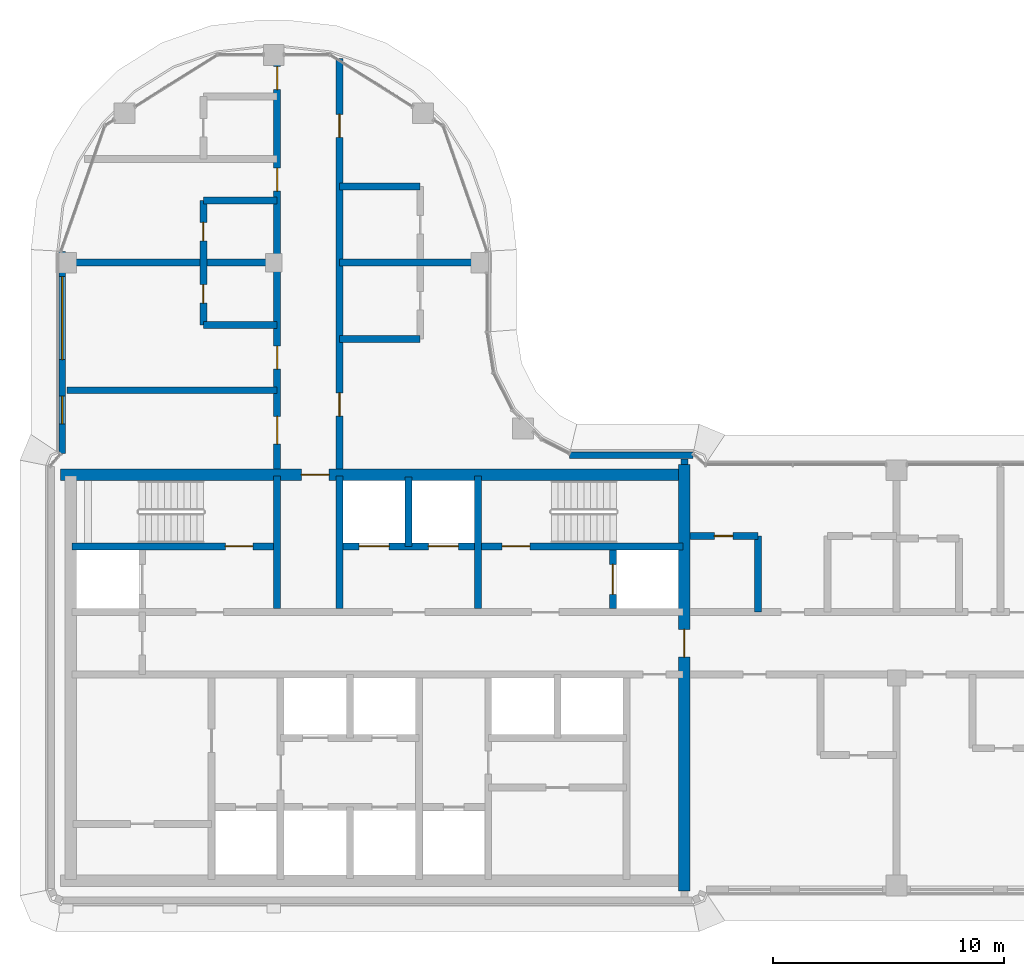
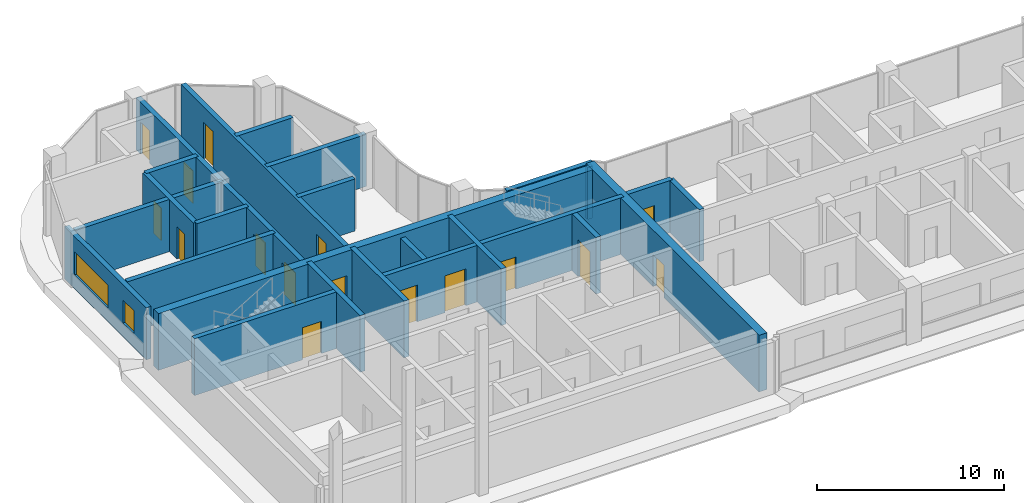
# One storey, part 11 of 20: 24 walls, 16 doors, 2 windows, 18 openings.
"""IFC4 building model written with IfcOpenShell, lengths in metres."""

from ifc_helpers import new_model, si_unit, direction, frame, frame_2d, origin, place, context, subcontext, project, spatial, rectangle, extrude, material, layer, layer_set, type_object, element, fill, save


model = new_model("IFC4")

# Units and contexts
model_context = context("Model", 3, precision=1e-05, world=origin(), true_north=direction((0.0, 1.0)))
body_context = subcontext(model_context, "Body", "Model", "MODEL_VIEW")
ifc_project = project(units=[si_unit("LENGTHUNIT", "METRE"), si_unit("AREAUNIT", "SQUARE_METRE"), si_unit("VOLUMEUNIT", "CUBIC_METRE"), si_unit("PLANEANGLEUNIT", "RADIAN"), si_unit("MASSUNIT", "GRAM", prefix="KILO")], contexts=[model_context])

# Site, building, storey
site_placement = place(None, origin())
site = spatial("IfcSite", under=ifc_project, at=site_placement, CompositionType="ELEMENT")
building_placement = place(site_placement, origin())
building = spatial("IfcBuilding", under=site, at=building_placement, Name="Ogive Portal Towers", CompositionType="ELEMENT")
storey_placement = place(building_placement, frame((0.0, 0.0, 214.300048828125)))
storey = spatial("IfcBuildingStorey", under=building, at=storey_placement, Name="L53", CompositionType="ELEMENT", Elevation=214.300048828125)

# Wall, opening, door
ifc_material_1 = material(Name="Concrete C60/75", Category="concrete")
ifc_layer_1 = layer(ifc_material_1, 0.300048828125)
ifc_layer_set_1 = layer_set([ifc_layer_1], Name="CORE WALL 300 C60")
wall_type_1 = type_object("IfcWallType", Name="CORE WALL 300 C60", PredefinedType="SHEAR", material=ifc_layer_set_1)
wall_1_placement = place(storey_placement, frame((31.75, 36.199951171875, 0.0), z_axis=(0.0, 0.0, 1.0), x_axis=(1.0, 0.0, 0.0)))
wall_1 = element("IfcWall", 1, at=wall_1_placement, inside=storey, type_object=wall_type_1, Name="Core wall Y3a L53", PredefinedType="SHEAR", context=body_context, shape_type="SweptSolid", body=[
    extrude(rectangle(XDim=8.75, YDim=0.300048828125, at=frame_2d((4.375, 0.0))), origin(), (0.0, 0.0, 1.0), 3.699951171875),
])
opening_1_placement = place(wall_1_placement, frame((6.64990234375, 0.0, 0.0)))
opening_1 = element("IfcOpeningElement", 2, at=opening_1_placement, cuts=wall_1, Name="Opening D24-005", PredefinedType="OPENING", context=body_context, shape_type="SweptSolid", body=[
    extrude(rectangle(XDim=1.199951171875, YDim=2.10009765625, at=frame_2d((0.60009765625, 1.050048828125))), frame((0.0, 0.16015625, 0.0), z_axis=(0.0, -1.0, 0.0), x_axis=(1.0, 0.0, 0.0)), (0.0, 0.0, 1.0), 0.320068359375),
])
ifc_material_2 = material(Name="Steel fire door", Category="steel")
door_type_1 = type_object("IfcDoorType", Name="DT-SWING-1200x2100-FD90S", OperationType="SINGLE_SWING_LEFT", PredefinedType="DOOR", material=ifc_material_2)
door_1_placement = place(opening_1_placement, origin())
door_1 = element("IfcDoor", 3, at=door_1_placement, inside=storey, type_object=door_type_1, Name="Door D24-005", OperationType="SINGLE_SWING_RIGHT", OverallHeight=2.10009765625, OverallWidth=1.199951171875, PredefinedType="DOOR", context=body_context, shape_type="SweptSolid", body=[
    extrude(rectangle(XDim=1.199951171875, YDim=2.10009765625, at=frame_2d((0.60009765625, 1.050048828125))), frame((0.0, 0.02490234375, 0.0), z_axis=(0.0, -1.0, 0.0), x_axis=(1.0, 0.0, 0.0)), (0.0, 0.0, 1.0), 0.050048828125),
])
fill(opening_1, door_1)

# Wall, openings, doors
wall_2_placement = place(storey_placement, frame((43.5, 36.199951171875, 0.0), z_axis=(0.0, 0.0, 1.0), x_axis=(1.0, 0.0, 0.0)))
wall_2 = element("IfcWall", 4, at=wall_2_placement, inside=storey, type_object=wall_type_1, Name="Core wall Y3b L53", PredefinedType="SHEAR", context=body_context, shape_type="SweptSolid", body=[
    extrude(rectangle(XDim=14.75, YDim=0.300048828125, at=frame_2d((7.375, 0.0))), origin(), (0.0, 0.0, 1.0), 3.699951171875),
])
opening_2_placement = place(wall_2_placement, frame((6.89990234375, 0.0, 0.0)))
opening_2 = element("IfcOpeningElement", 5, at=opening_2_placement, cuts=wall_2, Name="Opening D24-006", PredefinedType="OPENING", context=body_context, shape_type="SweptSolid", body=[
    extrude(rectangle(XDim=1.199951171875, YDim=2.10009765625, at=frame_2d((0.60009765625, 1.050048828125))), frame((0.0, 0.16015625, 0.0), z_axis=(0.0, -1.0, 0.0), x_axis=(1.0, 0.0, 0.0)), (0.0, 0.0, 1.0), 0.320068359375),
])
opening_3_placement = place(wall_2_placement, frame((0.699951171875, 0.0, 0.0)))
opening_3 = element("IfcOpeningElement", 6, at=opening_3_placement, cuts=wall_2, Name="Opening D24-016", PredefinedType="OPENING", context=body_context, shape_type="SweptSolid", body=[
    extrude(rectangle(XDim=1.300048828125, YDim=2.39990234375, at=frame_2d((0.64990234375, 1.199951171875))), frame((0.0, 0.16015625, 0.0), z_axis=(0.0, -1.0, 0.0), x_axis=(1.0, 0.0, 0.0)), (0.0, 0.0, 1.0), 0.320068359375),
])
opening_4_placement = place(wall_2_placement, frame((3.699951171875, 0.0, 0.0)))
opening_4 = element("IfcOpeningElement", 7, at=opening_4_placement, cuts=wall_2, Name="Opening D24-017", PredefinedType="OPENING", context=body_context, shape_type="SweptSolid", body=[
    extrude(rectangle(XDim=1.300048828125, YDim=2.39990234375, at=frame_2d((0.64990234375, 1.199951171875))), frame((0.0, 0.16015625, 0.0), z_axis=(0.0, -1.0, 0.0), x_axis=(1.0, 0.0, 0.0)), (0.0, 0.0, 1.0), 0.320068359375),
])
ifc_material_3 = material(Name="Stainless steel", Category="steel")
door_type_2 = type_object("IfcDoorType", Name="DT-LD-1300x2400", OperationType="SLIDING_TO_LEFT", PredefinedType="DOOR", material=ifc_material_3)
door_2_placement = place(opening_3_placement, origin())
door_2 = element("IfcDoor", 8, at=door_2_placement, inside=storey, type_object=door_type_2, Name="Door D24-016", OperationType="SLIDING_TO_LEFT", OverallHeight=2.39990234375, OverallWidth=1.300048828125, PredefinedType="DOOR", context=body_context, shape_type="SweptSolid", body=[
    extrude(rectangle(XDim=1.300048828125, YDim=2.39990234375, at=frame_2d((0.64990234375, 1.199951171875))), frame((0.0, 0.02490234375, 0.0), z_axis=(0.0, -1.0, 0.0), x_axis=(1.0, 0.0, 0.0)), (0.0, 0.0, 1.0), 0.050048828125),
])
fill(opening_3, door_2)
door_3_placement = place(opening_4_placement, origin())
door_3 = element("IfcDoor", 9, at=door_3_placement, inside=storey, type_object=door_type_2, Name="Door D24-017", OperationType="SLIDING_TO_LEFT", OverallHeight=2.39990234375, OverallWidth=1.300048828125, PredefinedType="DOOR", context=body_context, shape_type="SweptSolid", body=[
    extrude(rectangle(XDim=1.300048828125, YDim=2.39990234375, at=frame_2d((0.64990234375, 1.199951171875))), frame((0.0, 0.02490234375, 0.0), z_axis=(0.0, -1.0, 0.0), x_axis=(1.0, 0.0, 0.0)), (0.0, 0.0, 1.0), 0.050048828125),
])
fill(opening_4, door_3)
door_4_placement = place(opening_2_placement, origin())
door_4 = element("IfcDoor", 10, at=door_4_placement, inside=storey, type_object=door_type_1, Name="Door D24-006", OperationType="SINGLE_SWING_LEFT", OverallHeight=2.10009765625, OverallWidth=1.199951171875, PredefinedType="DOOR", context=body_context, shape_type="SweptSolid", body=[
    extrude(rectangle(XDim=1.199951171875, YDim=2.10009765625, at=frame_2d((0.60009765625, 1.050048828125))), frame((0.0, 0.02490234375, 0.0), z_axis=(0.0, -1.0, 0.0), x_axis=(1.0, 0.0, 0.0)), (0.0, 0.0, 1.0), 0.050048828125),
])
fill(opening_2, door_4)

# Walls
for number, where, z_axis, x_axis, name in (
    (11, (40.64990234375, 33.5, 0.0), (0.0, 0.0, 1.0), (0.0, 1.0, 0.0), "Core wall X6 L53"),
    (12, (43.35009765625, 33.5, 0.0), (0.0, 0.0, 1.0), (0.0, 1.0, 0.0), "Core wall X7 L53"),
    (13, (49.35009765625, 33.5, 0.0), (0.0, 0.0, 1.0), (0.0, 1.0, 0.0), "Core wall X9 L53"),
):
    element("IfcWall", number, at=place(storey_placement, frame(where, z_axis=z_axis, x_axis=x_axis)), inside=storey, type_object=wall_type_1, Name=name, PredefinedType="SHEAR", context=body_context, shape_type="SweptSolid", body=[
        extrude(rectangle(XDim=5.75, YDim=0.300048828125, at=frame_2d((2.875, 0.0))), origin(), (0.0, 0.0, 1.0), 3.699951171875),
    ])

# Wall, opening, door
wall_3_placement = place(storey_placement, frame((55.199951171875, 33.5, 0.0), z_axis=(0.0, 0.0, 1.0), x_axis=(0.0, 1.0, 0.0)))
wall_3 = element("IfcWall", 14, at=wall_3_placement, inside=storey, type_object=wall_type_1, Name="Core wall X10 L53", PredefinedType="SHEAR", context=body_context, shape_type="SweptSolid", body=[
    extrude(rectangle(XDim=2.550048828125, YDim=0.300048828125, at=frame_2d((1.27490234375, 0.0))), origin(), (0.0, 0.0, 1.0), 3.699951171875),
])
opening_5_placement = place(wall_3_placement, frame((0.625, 0.0, 0.0)))
opening_5 = element("IfcOpeningElement", 15, at=opening_5_placement, cuts=wall_3, Name="Opening D24-019", PredefinedType="OPENING", context=body_context, shape_type="SweptSolid", body=[
    extrude(rectangle(XDim=1.300048828125, YDim=2.39990234375, at=frame_2d((0.64990234375, 1.199951171875))), frame((0.0, 0.16015625, 0.0), z_axis=(0.0, -1.0, 0.0), x_axis=(1.0, 0.0, 0.0)), (0.0, 0.0, 1.0), 0.320068359375),
])
door_5_placement = place(opening_5_placement, origin())
door_5 = element("IfcDoor", 16, at=door_5_placement, inside=storey, type_object=door_type_2, Name="Door D24-019", OperationType="SLIDING_TO_LEFT", OverallHeight=2.39990234375, OverallWidth=1.300048828125, PredefinedType="DOOR", context=body_context, shape_type="SweptSolid", body=[
    extrude(rectangle(XDim=1.300048828125, YDim=2.39990234375, at=frame_2d((0.64990234375, 1.199951171875))), frame((0.0, 0.02490234375, 0.0), z_axis=(0.0, -1.0, 0.0), x_axis=(1.0, 0.0, 0.0)), (0.0, 0.0, 1.0), 0.050048828125),
])
fill(opening_5, door_5)

ifc_layer_2 = layer(ifc_material_1, 0.5)
ifc_layer_set_2 = layer_set([ifc_layer_2], Name="CORE WALL 500 C60")
wall_type_2 = type_object("IfcWallType", Name="CORE WALL 500 C60", PredefinedType="SHEAR", material=ifc_layer_set_2)
wall_4_placement = place(storey_placement, frame((58.300048828125, 21.25, 0.0), z_axis=(0.0, 0.0, 1.0), x_axis=(0.0, 1.0, 0.0)))
wall_4 = element("IfcWall", 17, at=wall_4_placement, inside=storey, type_object=wall_type_2, Name="Core wall E L53", PredefinedType="SHEAR", context=body_context, shape_type="SweptSolid", body=[
    extrude(rectangle(XDim=18.5, YDim=0.5, at=frame_2d((9.25, 0.0))), origin(), (0.0, 0.0, 1.0), 3.699951171875),
])
opening_6_placement = place(wall_4_placement, frame((10.14990234375, 0.0, 0.0)))
opening_6 = element("IfcOpeningElement", 18, at=opening_6_placement, cuts=wall_4, Name="Opening D24-010", PredefinedType="OPENING", context=body_context, shape_type="SweptSolid", body=[
    extrude(rectangle(XDim=1.199951171875, YDim=2.10009765625, at=frame_2d((0.60009765625, 1.050048828125))), frame((0.0, 0.260009765625, 0.0), z_axis=(0.0, -1.0, 0.0), x_axis=(1.0, 0.0, 0.0)), (0.0, 0.0, 1.0), 0.52001953125),
])
door_6_placement = place(opening_6_placement, origin())
door_6 = element("IfcDoor", 19, at=door_6_placement, inside=storey, type_object=door_type_1, Name="Door D24-010", OperationType="SINGLE_SWING_LEFT", OverallHeight=2.10009765625, OverallWidth=1.199951171875, PredefinedType="DOOR", context=body_context, shape_type="SweptSolid", body=[
    extrude(rectangle(XDim=1.199951171875, YDim=2.10009765625, at=frame_2d((0.60009765625, 1.050048828125))), frame((0.0, 0.02490234375, 0.0), z_axis=(0.0, -1.0, 0.0), x_axis=(1.0, 0.0, 0.0)), (0.0, 0.0, 1.0), 0.050048828125),
])
fill(opening_6, door_6)

wall_5_placement = place(storey_placement, frame((31.25, 39.300048828125, 0.0), z_axis=(0.0, 0.0, 1.0), x_axis=(1.0, 0.0, 0.0)))
wall_5 = element("IfcWall", 20, at=wall_5_placement, inside=storey, type_object=wall_type_2, Name="Core wall N L53", PredefinedType="SHEAR", context=body_context, shape_type="SweptSolid", body=[
    extrude(rectangle(XDim=27.0, YDim=0.5, at=frame_2d((13.5, 0.0))), origin(), (0.0, 0.0, 1.0), 3.699951171875),
])
opening_7_placement = place(wall_5_placement, frame((10.449951171875, 0.0, 0.0)))
opening_7 = element("IfcOpeningElement", 21, at=opening_7_placement, cuts=wall_5, Name="Opening D24-011", PredefinedType="OPENING", context=body_context, shape_type="SweptSolid", body=[
    extrude(rectangle(XDim=1.199951171875, YDim=2.10009765625, at=frame_2d((0.60009765625, 1.050048828125))), frame((0.0, 0.260009765625, 0.0), z_axis=(0.0, -1.0, 0.0), x_axis=(1.0, 0.0, 0.0)), (0.0, 0.0, 1.0), 0.52001953125),
])
door_7_placement = place(opening_7_placement, origin())
door_7 = element("IfcDoor", 22, at=door_7_placement, inside=storey, type_object=door_type_1, Name="Door D24-011", OperationType="SINGLE_SWING_RIGHT", OverallHeight=2.10009765625, OverallWidth=1.199951171875, PredefinedType="DOOR", context=body_context, shape_type="SweptSolid", body=[
    extrude(rectangle(XDim=1.199951171875, YDim=2.10009765625, at=frame_2d((0.60009765625, 1.050048828125))), frame((0.0, 0.02490234375, 0.0), z_axis=(0.0, -1.0, 0.0), x_axis=(1.0, 0.0, 0.0)), (0.0, 0.0, 1.0), 0.050048828125),
])
fill(opening_7, door_7)

# Wall
ifc_material_4 = material(Name="Limestone cladding on lightweight block wall", Category="masonry")
ifc_layer_3 = layer(ifc_material_4, 0.300048828125)
ifc_layer_set_3 = layer_set([ifc_layer_3], Name="EXTERNAL WALL 300 STONE")
wall_type_3 = type_object("IfcWallType", Name="EXTERNAL WALL 300 STONE", PredefinedType="SOLIDWALL", material=ifc_layer_set_3)
wall_6_placement = place(storey_placement, frame((58.669921875, 40.14990234375, 0.0), z_axis=(0.0, 0.0, 1.0), x_axis=(-1.0, 0.0, 0.0)))
element("IfcWall", 23, at=wall_6_placement, inside=storey, type_object=wall_type_3, Name="A:L53:f01:r0:wall", PredefinedType="SOLIDWALL", context=body_context, shape_type="SweptSolid", body=[
    extrude(rectangle(XDim=5.3408203125, YDim=0.300048828125, at=frame_2d((2.67041015625, 0.0))), origin(), (0.0, 0.0, 1.0), 3.39990234375),
])

# Wall, openings, windows
wall_7_placement = place(storey_placement, frame((31.330078125, 48.986328125, 0.0), z_axis=(0.0, 0.0, 1.0), x_axis=(0.0, -1.0, 0.0)))
wall_7 = element("IfcWall", 24, at=wall_7_placement, inside=storey, type_object=wall_type_3, Name="A:L53:f12:r0:wall", PredefinedType="SOLIDWALL", context=body_context, shape_type="SweptSolid", body=[
    extrude(rectangle(XDim=8.76611328125, YDim=0.300048828125, at=frame_2d((4.383056640625, 0.0))), origin(), (0.0, 0.0, 1.0), 3.39990234375),
])
opening_8_placement = place(wall_7_placement, frame((1.09326171875, 0.0, 0.89990234375)))
opening_8 = element("IfcOpeningElement", 25, at=opening_8_placement, cuts=wall_7, Name="Opening WN12", PredefinedType="OPENING", context=body_context, shape_type="SweptSolid", body=[
    extrude(rectangle(XDim=3.60009765625, YDim=1.5, at=frame_2d((1.800048828125, 0.75))), frame((0.0, 0.16015625, 0.0), z_axis=(0.0, -1.0, 0.0), x_axis=(1.0, 0.0, 0.0)), (0.0, 0.0, 1.0), 0.320068359375),
])
opening_9_placement = place(wall_7_placement, frame((6.2763671875, 0.0, 0.89990234375)))
opening_9 = element("IfcOpeningElement", 26, at=opening_9_placement, cuts=wall_7, Name="Opening WN9", PredefinedType="OPENING", context=body_context, shape_type="SweptSolid", body=[
    extrude(rectangle(XDim=1.199951171875, YDim=1.5, at=frame_2d((0.60009765625, 0.75))), frame((0.0, 0.16015625, 0.0), z_axis=(0.0, -1.0, 0.0), x_axis=(1.0, 0.0, 0.0)), (0.0, 0.0, 1.0), 0.320068359375),
])
ifc_material_5 = material(Name="Glass, clear low-iron insulated glazing", Category="glass")
window_type_1 = type_object("IfcWindowType", Name="WINDOW HOTEL CASEMENT 1200x1500", PartitioningType="DOUBLE_PANEL_VERTICAL", PredefinedType="WINDOW", material=ifc_material_5)
window_1_placement = place(opening_9_placement, origin())
window_1 = element("IfcWindow", 27, at=window_1_placement, inside=storey, type_object=window_type_1, Name="A:L53:f12:r0:w1", OverallHeight=1.5, OverallWidth=1.199951171875, PartitioningType="SINGLE_PANEL", PredefinedType="WINDOW", context=body_context, shape_type="SweptSolid", body=[
    extrude(rectangle(XDim=1.199951171875, YDim=1.5, at=frame_2d((0.60009765625, 0.75))), frame((0.0, 0.030029296875, 0.0), z_axis=(0.0, -1.0, 0.0), x_axis=(1.0, 0.0, 0.0)), (0.0, 0.0, 1.0), 0.06005859375),
])
fill(opening_9, window_1)
window_type_2 = type_object("IfcWindowType", Name="WINDOW RIBBON 3600x1500", PartitioningType="TRIPLE_PANEL_VERTICAL", PredefinedType="WINDOW", material=ifc_material_5)
window_2_placement = place(opening_8_placement, origin())
window_2 = element("IfcWindow", 28, at=window_2_placement, inside=storey, type_object=window_type_2, Name="A:L53:f12:r0:w0", OverallHeight=1.5, OverallWidth=3.60009765625, PartitioningType="SINGLE_PANEL", PredefinedType="WINDOW", context=body_context, shape_type="SweptSolid", body=[
    extrude(rectangle(XDim=3.60009765625, YDim=1.5, at=frame_2d((1.800048828125, 0.75))), frame((0.0, 0.030029296875, 0.0), z_axis=(0.0, -1.0, 0.0), x_axis=(1.0, 0.0, 0.0)), (0.0, 0.0, 1.0), 0.06005859375),
])
fill(opening_8, window_2)

# Wall
ifc_material_6 = material(Name="Gypsum board partition on steel studs", Category="steel")
ifc_layer_4 = layer(ifc_material_6, 0.300048828125)
ifc_layer_set_4 = layer_set([ifc_layer_4], Name="WT-PART-300-EI 120")
wall_type_4 = type_object("IfcWallType", Name="WT-PART-300-EI 120", PredefinedType="PARTITIONING", material=ifc_layer_set_4)
wall_8_placement = place(storey_placement, frame((58.300048828125, 39.75, 0.0), z_axis=(0.0, 0.0, 1.0), x_axis=(0.0, 1.0, 0.0)))
element("IfcWall", 29, at=wall_8_placement, inside=storey, type_object=wall_type_4, Name="Wall L53:wc02", PredefinedType="PARTITIONING", context=body_context, shape_type="SweptSolid", body=[
    extrude(rectangle(XDim=0.239990234375, YDim=0.300048828125, at=frame_2d((0.1201171875, 0.0))), origin(), (0.0, 0.0, 1.0), 3.39990234375),
])

# Wall, opening, door
ifc_layer_5 = layer(ifc_material_6, 0.300048828125)
ifc_layer_set_5 = layer_set([ifc_layer_5], Name="WT-PART-300-EI 60")
wall_type_5 = type_object("IfcWallType", Name="WT-PART-300-EI 60", PredefinedType="PARTITIONING", material=ifc_layer_set_5)
wall_9_placement = place(storey_placement, frame((58.550048828125, 36.64990234375, 0.0), z_axis=(0.0, 0.0, 1.0), x_axis=(1.0, 0.0, 0.0)))
wall_9 = element("IfcWall", 30, at=wall_9_placement, inside=storey, type_object=wall_type_5, Name="Wall L53:w011", PredefinedType="PARTITIONING", context=body_context, shape_type="SweptSolid", body=[
    extrude(rectangle(XDim=2.949951171875, YDim=0.300048828125, at=frame_2d((1.47509765625, 0.0))), origin(), (0.0, 0.0, 1.0), 3.39990234375),
])
opening_10_placement = place(wall_9_placement, frame((1.050048828125, 0.0, 0.0)))
opening_10 = element("IfcOpeningElement", 31, at=opening_10_placement, cuts=wall_9, Name="Opening D24-025", PredefinedType="OPENING", context=body_context, shape_type="SweptSolid", body=[
    extrude(rectangle(XDim=0.800048828125, YDim=2.10009765625, at=frame_2d((0.39990234375, 1.050048828125))), frame((0.0, 0.16015625, 0.0), z_axis=(0.0, -1.0, 0.0), x_axis=(1.0, 0.0, 0.0)), (0.0, 0.0, 1.0), 0.320068359375),
])
door_type_3 = type_object("IfcDoorType", Name="DT-BATH-800x2100-FD60S", OperationType="SINGLE_SWING_LEFT", PredefinedType="DOOR", material=ifc_material_2)
door_8_placement = place(opening_10_placement, origin())
door_8 = element("IfcDoor", 32, at=door_8_placement, inside=storey, type_object=door_type_3, Name="Door D24-025", OperationType="SINGLE_SWING_LEFT", OverallHeight=2.10009765625, OverallWidth=0.800048828125, PredefinedType="DOOR", context=body_context, shape_type="SweptSolid", body=[
    extrude(rectangle(XDim=0.800048828125, YDim=2.10009765625, at=frame_2d((0.39990234375, 1.050048828125))), frame((0.0, 0.02490234375, 0.0), z_axis=(0.0, -1.0, 0.0), x_axis=(1.0, 0.0, 0.0)), (0.0, 0.0, 1.0), 0.050048828125),
])
fill(opening_10, door_8)

# Walls
wall_10_placement = place(storey_placement, frame((31.530029296875, 42.969970703125, 0.0), z_axis=(0.0, 0.0, 1.0), x_axis=(1.0, 0.0, 0.0)))
element("IfcWall", 33, at=wall_10_placement, inside=storey, type_object=wall_type_5, Name="Wall L53:w014", PredefinedType="PARTITIONING", context=body_context, shape_type="SweptSolid", body=[
    extrude(rectangle(XDim=9.119873046875, YDim=0.300048828125, at=frame_2d((4.56005859375, 0.0))), origin(), (0.0, 0.0, 1.0), 3.39990234375),
])
wall_11_placement = place(storey_placement, frame((43.35009765625, 45.199951171875, 0.0), z_axis=(0.0, 0.0, 1.0), x_axis=(1.0, 0.0, 0.0)))
element("IfcWall", 34, at=wall_11_placement, inside=storey, type_object=wall_type_5, Name="Wall L53:w015", PredefinedType="PARTITIONING", context=body_context, shape_type="SweptSolid", body=[
    extrude(rectangle(XDim=3.5, YDim=0.300048828125, at=frame_2d((1.75, 0.0))), origin(), (0.0, 0.0, 1.0), 3.39990234375),
])
wall_12_placement = place(storey_placement, frame((37.449951171875, 45.800048828125, 0.0), z_axis=(0.0, 0.0, 1.0), x_axis=(1.0, 0.0, 0.0)))
element("IfcWall", 35, at=wall_12_placement, inside=storey, type_object=wall_type_5, Name="Wall L53:w016", PredefinedType="PARTITIONING", context=body_context, shape_type="SweptSolid", body=[
    extrude(rectangle(XDim=3.199951171875, YDim=0.300048828125, at=frame_2d((1.60009765625, 0.0))), origin(), (0.0, 0.0, 1.0), 3.39990234375),
])
wall_13_placement = place(storey_placement, frame((31.530029296875, 48.5, 0.0), z_axis=(0.0, 0.0, 1.0), x_axis=(1.0, 0.0, 0.0)))
element("IfcWall", 36, at=wall_13_placement, inside=storey, type_object=wall_type_5, Name="Wall L53:w017", PredefinedType="PARTITIONING", context=body_context, shape_type="SweptSolid", body=[
    extrude(rectangle(XDim=9.119873046875, YDim=0.300048828125, at=frame_2d((4.56005859375, 0.0))), origin(), (0.0, 0.0, 1.0), 3.39990234375),
])
wall_14_placement = place(storey_placement, frame((43.35009765625, 48.5, 0.0), z_axis=(0.0, 0.0, 1.0), x_axis=(1.0, 0.0, 0.0)))
element("IfcWall", 37, at=wall_14_placement, inside=storey, type_object=wall_type_5, Name="Wall L53:w018", PredefinedType="PARTITIONING", context=body_context, shape_type="SweptSolid", body=[
    extrude(rectangle(XDim=6.119873046875, YDim=0.300048828125, at=frame_2d((3.06005859375, 0.0))), origin(), (0.0, 0.0, 1.0), 3.39990234375),
])
wall_15_placement = place(storey_placement, frame((37.449951171875, 51.199951171875, 0.0), z_axis=(0.0, 0.0, 1.0), x_axis=(1.0, 0.0, 0.0)))
element("IfcWall", 38, at=wall_15_placement, inside=storey, type_object=wall_type_5, Name="Wall L53:w019", PredefinedType="PARTITIONING", context=body_context, shape_type="SweptSolid", body=[
    extrude(rectangle(XDim=3.199951171875, YDim=0.300048828125, at=frame_2d((1.60009765625, 0.0))), origin(), (0.0, 0.0, 1.0), 3.39990234375),
])
wall_16_placement = place(storey_placement, frame((43.35009765625, 51.800048828125, 0.0), z_axis=(0.0, 0.0, 1.0), x_axis=(1.0, 0.0, 0.0)))
element("IfcWall", 39, at=wall_16_placement, inside=storey, type_object=wall_type_5, Name="Wall L53:w020", PredefinedType="PARTITIONING", context=body_context, shape_type="SweptSolid", body=[
    extrude(rectangle(XDim=3.5, YDim=0.300048828125, at=frame_2d((1.75, 0.0))), origin(), (0.0, 0.0, 1.0), 3.39990234375),
])

# Wall, openings, doors
wall_17_placement = place(storey_placement, frame((37.449951171875, 45.800048828125, 0.0), z_axis=(0.0, 0.0, 1.0), x_axis=(0.0, 1.0, 0.0)))
wall_17 = element("IfcWall", 40, at=wall_17_placement, inside=storey, type_object=wall_type_5, Name="Wall L53:w023", PredefinedType="PARTITIONING", context=body_context, shape_type="SweptSolid", body=[
    extrude(rectangle(XDim=5.39990234375, YDim=0.300048828125, at=frame_2d((2.699951171875, 0.0))), origin(), (0.0, 0.0, 1.0), 3.39990234375),
])
opening_11_placement = place(wall_17_placement, frame((0.949951171875, 0.0, 0.0)))
opening_11 = element("IfcOpeningElement", 41, at=opening_11_placement, cuts=wall_17, Name="Opening D24-045", PredefinedType="OPENING", context=body_context, shape_type="SweptSolid", body=[
    extrude(rectangle(XDim=0.800048828125, YDim=2.10009765625, at=frame_2d((0.39990234375, 1.050048828125))), frame((0.0, 0.16015625, 0.0), z_axis=(0.0, -1.0, 0.0), x_axis=(1.0, 0.0, 0.0)), (0.0, 0.0, 1.0), 0.320068359375),
])
opening_12_placement = place(wall_17_placement, frame((3.64990234375, 0.0, 0.0)))
opening_12 = element("IfcOpeningElement", 42, at=opening_12_placement, cuts=wall_17, Name="Opening D24-049", PredefinedType="OPENING", context=body_context, shape_type="SweptSolid", body=[
    extrude(rectangle(XDim=0.800048828125, YDim=2.10009765625, at=frame_2d((0.39990234375, 1.050048828125))), frame((0.0, 0.16015625, 0.0), z_axis=(0.0, -1.0, 0.0), x_axis=(1.0, 0.0, 0.0)), (0.0, 0.0, 1.0), 0.320068359375),
])
door_9_placement = place(opening_11_placement, origin())
door_9 = element("IfcDoor", 43, at=door_9_placement, inside=storey, type_object=door_type_3, Name="Door D24-045", OperationType="SINGLE_SWING_LEFT", OverallHeight=2.10009765625, OverallWidth=0.800048828125, PredefinedType="DOOR", context=body_context, shape_type="SweptSolid", body=[
    extrude(rectangle(XDim=0.800048828125, YDim=2.10009765625, at=frame_2d((0.39990234375, 1.050048828125))), frame((0.0, 0.02490234375, 0.0), z_axis=(0.0, -1.0, 0.0), x_axis=(1.0, 0.0, 0.0)), (0.0, 0.0, 1.0), 0.050048828125),
])
fill(opening_11, door_9)
door_10_placement = place(opening_12_placement, origin())
door_10 = element("IfcDoor", 44, at=door_10_placement, inside=storey, type_object=door_type_3, Name="Door D24-049", OperationType="SINGLE_SWING_LEFT", OverallHeight=2.10009765625, OverallWidth=0.800048828125, PredefinedType="DOOR", context=body_context, shape_type="SweptSolid", body=[
    extrude(rectangle(XDim=0.800048828125, YDim=2.10009765625, at=frame_2d((0.39990234375, 1.050048828125))), frame((0.0, 0.02490234375, 0.0), z_axis=(0.0, -1.0, 0.0), x_axis=(1.0, 0.0, 0.0)), (0.0, 0.0, 1.0), 0.050048828125),
])
fill(opening_12, door_10)

wall_18_placement = place(storey_placement, frame((40.64990234375, 39.550048828125, 0.0), z_axis=(0.0, 0.0, 1.0), x_axis=(0.0, 1.0, 0.0)))
wall_18 = element("IfcWall", 45, at=wall_18_placement, inside=storey, type_object=wall_type_5, Name="Wall L53:w025", PredefinedType="PARTITIONING", context=body_context, shape_type="SweptSolid", body=[
    extrude(rectangle(XDim=17.919921875, YDim=0.300048828125, at=frame_2d((8.9599609375, 0.0))), origin(), (0.0, 0.0, 1.0), 3.39990234375),
])
opening_13_placement = place(wall_18_placement, frame((1.0849609375, 0.0, 0.0)))
opening_13 = element("IfcOpeningElement", 46, at=opening_13_placement, cuts=wall_18, Name="Opening D24-044", PredefinedType="OPENING", context=body_context, shape_type="SweptSolid", body=[
    extrude(rectangle(XDim=1.199951171875, YDim=2.10009765625, at=frame_2d((0.60009765625, 1.050048828125))), frame((0.0, 0.16015625, 0.0), z_axis=(0.0, -1.0, 0.0), x_axis=(1.0, 0.0, 0.0)), (0.0, 0.0, 1.0), 0.320068359375),
])
opening_14_placement = place(wall_18_placement, frame((4.3349609375, 0.0, 0.0)))
opening_14 = element("IfcOpeningElement", 47, at=opening_14_placement, cuts=wall_18, Name="Opening D24-046", PredefinedType="OPENING", context=body_context, shape_type="SweptSolid", body=[
    extrude(rectangle(XDim=1.0, YDim=2.10009765625, at=frame_2d((0.5, 1.050048828125))), frame((0.0, 0.16015625, 0.0), z_axis=(0.0, -1.0, 0.0), x_axis=(1.0, 0.0, 0.0)), (0.0, 0.0, 1.0), 0.320068359375),
])
opening_15_placement = place(wall_18_placement, frame((12.050048828125, 0.0, 0.0)))
opening_15 = element("IfcOpeningElement", 48, at=opening_15_placement, cuts=wall_18, Name="Opening D24-050", PredefinedType="OPENING", context=body_context, shape_type="SweptSolid", body=[
    extrude(rectangle(XDim=1.0, YDim=2.10009765625, at=frame_2d((0.5, 1.050048828125))), frame((0.0, 0.16015625, 0.0), z_axis=(0.0, -1.0, 0.0), x_axis=(1.0, 0.0, 0.0)), (0.0, 0.0, 1.0), 0.320068359375),
])
opening_16_placement = place(wall_18_placement, frame((16.449951171875, 0.0, 0.0)))
opening_16 = element("IfcOpeningElement", 49, at=opening_16_placement, cuts=wall_18, Name="Opening D24-052", PredefinedType="OPENING", context=body_context, shape_type="SweptSolid", body=[
    extrude(rectangle(XDim=1.0, YDim=2.10009765625, at=frame_2d((0.5, 1.050048828125))), frame((0.0, 0.16015625, 0.0), z_axis=(0.0, -1.0, 0.0), x_axis=(1.0, 0.0, 0.0)), (0.0, 0.0, 1.0), 0.320068359375),
])
door_type_4 = type_object("IfcDoorType", Name="DT-ENTRY-1000x2100-FD60S", OperationType="SINGLE_SWING_LEFT", PredefinedType="DOOR", material=ifc_material_2)
door_11_placement = place(opening_14_placement, origin())
door_11 = element("IfcDoor", 50, at=door_11_placement, inside=storey, type_object=door_type_4, Name="Door D24-046", OperationType="SINGLE_SWING_RIGHT", OverallHeight=2.10009765625, OverallWidth=1.0, PredefinedType="DOOR", context=body_context, shape_type="SweptSolid", body=[
    extrude(rectangle(XDim=1.0, YDim=2.10009765625, at=frame_2d((0.5, 1.050048828125))), frame((0.0, 0.02490234375, 0.0), z_axis=(0.0, -1.0, 0.0), x_axis=(1.0, 0.0, 0.0)), (0.0, 0.0, 1.0), 0.050048828125),
])
fill(opening_14, door_11)
door_12_placement = place(opening_15_placement, origin())
door_12 = element("IfcDoor", 51, at=door_12_placement, inside=storey, type_object=door_type_4, Name="Door D24-050", OperationType="SINGLE_SWING_LEFT", OverallHeight=2.10009765625, OverallWidth=1.0, PredefinedType="DOOR", context=body_context, shape_type="SweptSolid", body=[
    extrude(rectangle(XDim=1.0, YDim=2.10009765625, at=frame_2d((0.5, 1.050048828125))), frame((0.0, 0.02490234375, 0.0), z_axis=(0.0, -1.0, 0.0), x_axis=(1.0, 0.0, 0.0)), (0.0, 0.0, 1.0), 0.050048828125),
])
fill(opening_15, door_12)
door_13_placement = place(opening_16_placement, origin())
door_13 = element("IfcDoor", 52, at=door_13_placement, inside=storey, type_object=door_type_4, Name="Door D24-052", OperationType="SINGLE_SWING_RIGHT", OverallHeight=2.10009765625, OverallWidth=1.0, PredefinedType="DOOR", context=body_context, shape_type="SweptSolid", body=[
    extrude(rectangle(XDim=1.0, YDim=2.10009765625, at=frame_2d((0.5, 1.050048828125))), frame((0.0, 0.02490234375, 0.0), z_axis=(0.0, -1.0, 0.0), x_axis=(1.0, 0.0, 0.0)), (0.0, 0.0, 1.0), 0.050048828125),
])
fill(opening_16, door_13)
door_type_5 = type_object("IfcDoorType", Name="DT-ENTRY-1200x2100-FD60S", OperationType="SINGLE_SWING_LEFT", PredefinedType="DOOR", material=ifc_material_2)
door_14_placement = place(opening_13_placement, origin())
door_14 = element("IfcDoor", 53, at=door_14_placement, inside=storey, type_object=door_type_5, Name="Door D24-044", OperationType="SINGLE_SWING_LEFT", OverallHeight=2.10009765625, OverallWidth=1.199951171875, PredefinedType="DOOR", context=body_context, shape_type="SweptSolid", body=[
    extrude(rectangle(XDim=1.199951171875, YDim=2.10009765625, at=frame_2d((0.60009765625, 1.050048828125))), frame((0.0, 0.02490234375, 0.0), z_axis=(0.0, -1.0, 0.0), x_axis=(1.0, 0.0, 0.0)), (0.0, 0.0, 1.0), 0.050048828125),
])
fill(opening_13, door_14)

wall_19_placement = place(storey_placement, frame((43.35009765625, 39.550048828125, 0.0), z_axis=(0.0, 0.0, 1.0), x_axis=(0.0, 1.0, 0.0)))
wall_19 = element("IfcWall", 54, at=wall_19_placement, inside=storey, type_object=wall_type_5, Name="Wall L53:w026", PredefinedType="PARTITIONING", context=body_context, shape_type="SweptSolid", body=[
    extrude(rectangle(XDim=17.796875, YDim=0.300048828125, at=frame_2d((8.8984375, 0.0))), origin(), (0.0, 0.0, 1.0), 3.39990234375),
])
opening_17_placement = place(wall_19_placement, frame((2.300048828125, 0.0, 0.0)))
opening_17 = element("IfcOpeningElement", 55, at=opening_17_placement, cuts=wall_19, Name="Opening D24-043", PredefinedType="OPENING", context=body_context, shape_type="SweptSolid", body=[
    extrude(rectangle(XDim=1.0, YDim=2.39990234375, at=frame_2d((0.5, 1.199951171875))), frame((0.0, 0.16015625, 0.0), z_axis=(0.0, -1.0, 0.0), x_axis=(1.0, 0.0, 0.0)), (0.0, 0.0, 1.0), 0.320068359375),
])
opening_18_placement = place(wall_19_placement, frame((14.383056640625, 0.0, 0.0)))
opening_18 = element("IfcOpeningElement", 56, at=opening_18_placement, cuts=wall_19, Name="Opening D24-048", PredefinedType="OPENING", context=body_context, shape_type="SweptSolid", body=[
    extrude(rectangle(XDim=1.0, YDim=2.39990234375, at=frame_2d((0.5, 1.199951171875))), frame((0.0, 0.16015625, 0.0), z_axis=(0.0, -1.0, 0.0), x_axis=(1.0, 0.0, 0.0)), (0.0, 0.0, 1.0), 0.320068359375),
])
door_type_6 = type_object("IfcDoorType", Name="DT-ENTRY-1000x2400-FD60S", OperationType="SINGLE_SWING_LEFT", PredefinedType="DOOR", material=ifc_material_2)
door_15_placement = place(opening_17_placement, origin())
door_15 = element("IfcDoor", 57, at=door_15_placement, inside=storey, type_object=door_type_6, Name="Door D24-043", OperationType="SINGLE_SWING_RIGHT", OverallHeight=2.39990234375, OverallWidth=1.0, PredefinedType="DOOR", context=body_context, shape_type="SweptSolid", body=[
    extrude(rectangle(XDim=1.0, YDim=2.39990234375, at=frame_2d((0.5, 1.199951171875))), frame((0.0, 0.02490234375, 0.0), z_axis=(0.0, -1.0, 0.0), x_axis=(1.0, 0.0, 0.0)), (0.0, 0.0, 1.0), 0.050048828125),
])
fill(opening_17, door_15)
door_16_placement = place(opening_18_placement, origin())
door_16 = element("IfcDoor", 58, at=door_16_placement, inside=storey, type_object=door_type_6, Name="Door D24-048", OperationType="SINGLE_SWING_LEFT", OverallHeight=2.39990234375, OverallWidth=1.0, PredefinedType="DOOR", context=body_context, shape_type="SweptSolid", body=[
    extrude(rectangle(XDim=1.0, YDim=2.39990234375, at=frame_2d((0.5, 1.199951171875))), frame((0.0, 0.02490234375, 0.0), z_axis=(0.0, -1.0, 0.0), x_axis=(1.0, 0.0, 0.0)), (0.0, 0.0, 1.0), 0.050048828125),
])
fill(opening_18, door_16)

# Walls
wall_20_placement = place(storey_placement, frame((61.5, 33.35009765625, 0.0), z_axis=(0.0, 0.0, 1.0), x_axis=(0.0, 1.0, 0.0)))
element("IfcWall", 59, at=wall_20_placement, inside=storey, type_object=wall_type_5, Name="Wall L53:w028", PredefinedType="PARTITIONING", context=body_context, shape_type="SweptSolid", body=[
    extrude(rectangle(XDim=3.2998046875, YDim=0.300048828125, at=frame_2d((1.64990234375, 0.0))), origin(), (0.0, 0.0, 1.0), 3.39990234375),
])
ifc_material_7 = material(Name="Concrete C40/50", Category="concrete")
ifc_layer_6 = layer(ifc_material_7, 0.300048828125)
ifc_layer_set_6 = layer_set([ifc_layer_6], Name="WT-SHAFT-300")
wall_type_6 = type_object("IfcWallType", Name="WT-SHAFT-300", PredefinedType="SOLIDWALL", material=ifc_layer_set_6)
wall_21_placement = place(storey_placement, frame((46.35009765625, 36.199951171875, 0.0), z_axis=(0.0, 0.0, 1.0), x_axis=(0.0, 1.0, 0.0)))
element("IfcWall", 60, at=wall_21_placement, inside=storey, type_object=wall_type_6, Name="Wall pw:009:L53", PredefinedType="SOLIDWALL", context=body_context, shape_type="SweptSolid", body=[
    extrude(rectangle(XDim=3.0, YDim=0.300048828125, at=frame_2d((1.5, 0.0))), origin(), (0.0, 0.0, 1.0), 3.39990234375),
])

save(model, "model.ifc")
